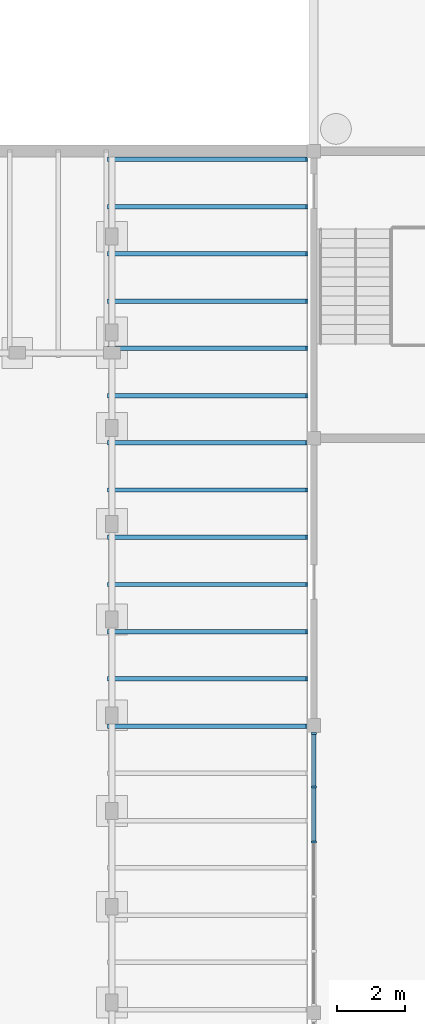
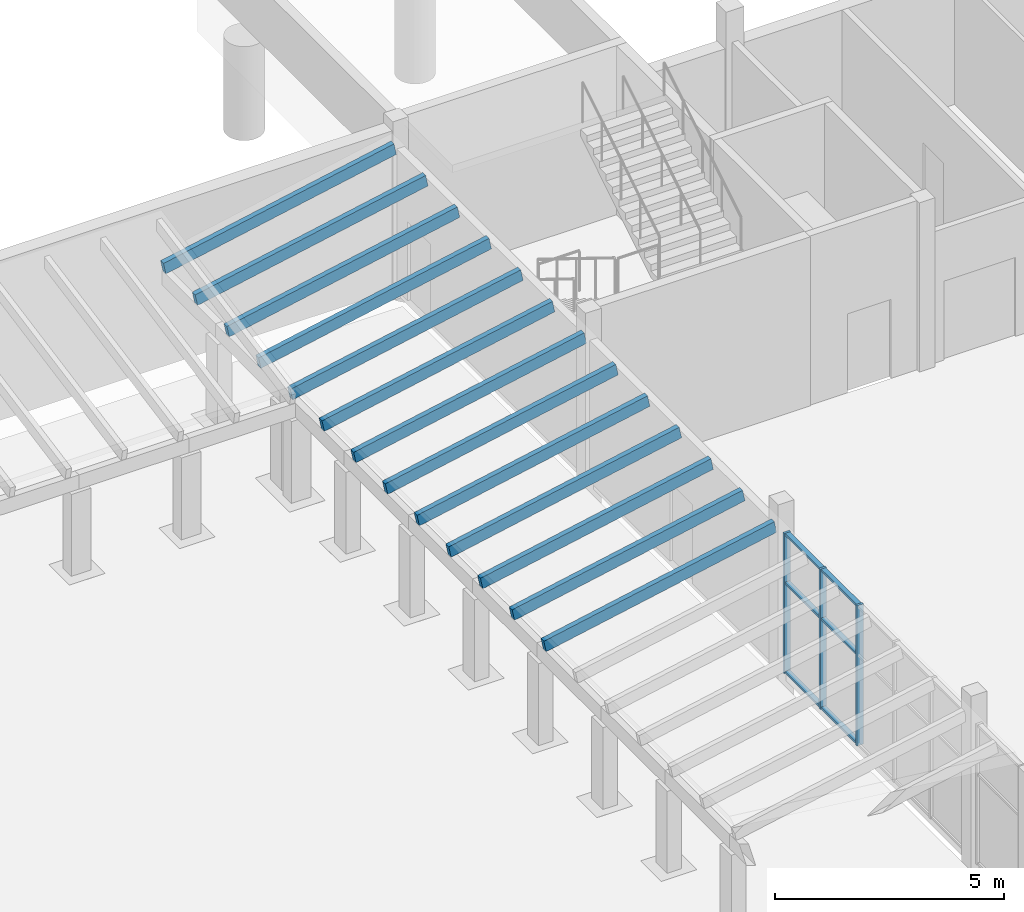
# One storey, part 18 of 60: 22 members, 1 element without a shape of its own.
"""IFC4 building model written with IfcOpenShell, lengths in metres."""

from ifc_helpers import new_model, si_unit, direction, frame, origin, origin_2d, place, context, subcontext, project, spatial, rectangle, extrude, material, material_profile, profile_set, type_object, element, aggregate, save


model = new_model("IFC4")

# Units and contexts
model_context = context("Model", 3, precision=1e-05, world=origin(), true_north=direction((0.0, 1.0)))
body_context = subcontext(model_context, "Body", "Model", "MODEL_VIEW")
ifc_project = project(units=[si_unit("LENGTHUNIT", "METRE"), si_unit("AREAUNIT", "SQUARE_METRE"), si_unit("VOLUMEUNIT", "CUBIC_METRE"), si_unit("PLANEANGLEUNIT", "RADIAN"), si_unit("MASSUNIT", "GRAM", prefix="KILO")], contexts=[model_context])

# Site, building, storey
site_placement = place(None, origin())
site = spatial("IfcSite", under=ifc_project, at=site_placement, CompositionType="ELEMENT")
building_placement = place(site_placement, origin())
building = spatial("IfcBuilding", under=site, at=building_placement, Name="Fescue Hill Polytechnic", CompositionType="ELEMENT")
storey_placement = place(building_placement, frame((0.0, 0.0, 4.5)))
storey = spatial("IfcBuildingStorey", under=building, at=storey_placement, Name="L01", CompositionType="ELEMENT", Elevation=4.5)

# Curtain wall, members
ifc_material_1 = material(Name="Glass", Category="glass")
curtain_wall_type = type_object("IfcCurtainWallType", Name="Curtain wall structural glazing", PredefinedType="NOTDEFINED", material=ifc_material_1)
curtain_wall_placement = place(storey_placement, origin())
curtain_wall = element("IfcCurtainWall", 1, at=curtain_wall_placement, inside=storey, type_object=curtain_wall_type, Name="CW-L01-V6-2", PredefinedType="NOTDEFINED")
ifc_material_2 = material(Name="Powder-coated aluminium", Category="aluminium")
ifc_material_profile_1 = material_profile(ifc_material_2, rectangle(XDim=0.159912109375, YDim=0.06005859375, at=origin_2d()), Name="Mullion aluminium 60x160")
ifc_profile_set_1 = profile_set([ifc_material_profile_1], Name="Powder-coated aluminium")
member_type_1 = type_object("IfcMemberType", Name="Mullion aluminium 60x160", PredefinedType="MULLION", material=ifc_profile_set_1)
member_1_placement = place(storey_placement, frame((92.39990234375, 92.169921875, 0.0), z_axis=(0.0, 0.0, 1.0), x_axis=(1.0, 0.0, 0.0)))
member_1 = element("IfcMember", 2, at=member_1_placement, type_object=member_type_1, Name="CW48 mullion 1", PredefinedType="MULLION", context=body_context, shape_type="SweptSolid", body=[
    extrude(rectangle(XDim=0.159912109375, YDim=0.06005859375, at=origin_2d()), origin(), (0.0, 0.0, 1.0), 3.72998046875),
])
member_2_placement = place(storey_placement, frame((92.39990234375, 90.60009765625, 0.0), z_axis=(0.0, 0.0, 1.0), x_axis=(1.0, 0.0, 0.0)))
member_2 = element("IfcMember", 3, at=member_2_placement, type_object=member_type_1, Name="CW48 mullion 2", PredefinedType="MULLION", context=body_context, shape_type="SweptSolid", body=[
    extrude(rectangle(XDim=0.159912109375, YDim=0.06005859375, at=origin_2d()), origin(), (0.0, 0.0, 1.0), 3.72998046875),
])
member_3_placement = place(storey_placement, frame((92.39990234375, 89.0, 0.0), z_axis=(0.0, 0.0, 1.0), x_axis=(1.0, 0.0, 0.0)))
member_3 = element("IfcMember", 4, at=member_3_placement, type_object=member_type_1, Name="CW48 mullion 3", PredefinedType="MULLION", context=body_context, shape_type="SweptSolid", body=[
    extrude(rectangle(XDim=0.159912109375, YDim=0.06005859375, at=origin_2d()), origin(), (0.0, 0.0, 1.0), 3.72998046875),
])
ifc_material_profile_2 = material_profile(ifc_material_2, rectangle(XDim=0.1201171875, YDim=0.06005859375, at=origin_2d()), Name="Transom aluminium 60x120")
ifc_profile_set_2 = profile_set([ifc_material_profile_2], Name="Powder-coated aluminium")
member_type_2 = type_object("IfcMemberType", Name="Transom aluminium 60x120", PredefinedType="USERDEFINED", material=ifc_profile_set_2)
member_4_placement = place(storey_placement, frame((92.39990234375, 92.139892578125, 0.030029296875), z_axis=(0.0, -1.0, 0.0), x_axis=(1.0, 0.0, 0.0)))
member_4 = element("IfcMember", 5, at=member_4_placement, type_object=member_type_2, Name="CW48 transom 1.1", ObjectType="TRANSOM", PredefinedType="USERDEFINED", context=body_context, shape_type="SweptSolid", body=[
    extrude(rectangle(XDim=0.1201171875, YDim=0.06005859375, at=origin_2d()), origin(), (0.0, 0.0, 1.0), 1.510009765625),
])
member_5_placement = place(storey_placement, frame((92.39990234375, 92.139892578125, 2.39990234375), z_axis=(0.0, -1.0, 0.0), x_axis=(1.0, 0.0, 0.0)))
member_5 = element("IfcMember", 6, at=member_5_placement, type_object=member_type_2, Name="CW48 transom 1.2", ObjectType="TRANSOM", PredefinedType="USERDEFINED", context=body_context, shape_type="SweptSolid", body=[
    extrude(rectangle(XDim=0.1201171875, YDim=0.06005859375, at=origin_2d()), origin(), (0.0, 0.0, 1.0), 1.510009765625),
])
member_6_placement = place(storey_placement, frame((92.39990234375, 92.139892578125, 3.699951171875), z_axis=(0.0, -1.0, 0.0), x_axis=(1.0, 0.0, 0.0)))
member_6 = element("IfcMember", 7, at=member_6_placement, type_object=member_type_2, Name="CW48 transom 1.3", ObjectType="TRANSOM", PredefinedType="USERDEFINED", context=body_context, shape_type="SweptSolid", body=[
    extrude(rectangle(XDim=0.1201171875, YDim=0.06005859375, at=origin_2d()), origin(), (0.0, 0.0, 1.0), 1.510009765625),
])
member_7_placement = place(storey_placement, frame((92.39990234375, 90.570068359375, 0.030029296875), z_axis=(0.0, -1.0, 0.0), x_axis=(1.0, 0.0, 0.0)))
member_7 = element("IfcMember", 8, at=member_7_placement, type_object=member_type_2, Name="CW48 transom 2.1", ObjectType="TRANSOM", PredefinedType="USERDEFINED", context=body_context, shape_type="SweptSolid", body=[
    extrude(rectangle(XDim=0.1201171875, YDim=0.06005859375, at=origin_2d()), origin(), (0.0, 0.0, 1.0), 1.5400390625),
])
member_8_placement = place(storey_placement, frame((92.39990234375, 90.570068359375, 2.39990234375), z_axis=(0.0, -1.0, 0.0), x_axis=(1.0, 0.0, 0.0)))
member_8 = element("IfcMember", 9, at=member_8_placement, type_object=member_type_2, Name="CW48 transom 2.2", ObjectType="TRANSOM", PredefinedType="USERDEFINED", context=body_context, shape_type="SweptSolid", body=[
    extrude(rectangle(XDim=0.1201171875, YDim=0.06005859375, at=origin_2d()), origin(), (0.0, 0.0, 1.0), 1.5400390625),
])
member_9_placement = place(storey_placement, frame((92.39990234375, 90.570068359375, 3.699951171875), z_axis=(0.0, -1.0, 0.0), x_axis=(1.0, 0.0, 0.0)))
member_9 = element("IfcMember", 10, at=member_9_placement, type_object=member_type_2, Name="CW48 transom 2.3", ObjectType="TRANSOM", PredefinedType="USERDEFINED", context=body_context, shape_type="SweptSolid", body=[
    extrude(rectangle(XDim=0.1201171875, YDim=0.06005859375, at=origin_2d()), origin(), (0.0, 0.0, 1.0), 1.5400390625),
])
aggregate(curtain_wall, [member_1, member_2, member_3, member_4, member_5, member_6, member_7, member_8, member_9])

# Members
ifc_material_3 = material(Name="Glulam 24f-EX", Category="wood")
ifc_material_profile_3 = material_profile(ifc_material_3, rectangle(XDim=0.1298828125, YDim=0.303955078125, at=origin_2d()), Name="Veranda rafter 130x304")
ifc_profile_set_3 = profile_set([ifc_material_profile_3], Name="Glulam 24f-EX")
member_type_3 = type_object("IfcMemberType", Name="Veranda rafter 130x304", PredefinedType="RAFTER", material=ifc_profile_set_3)
for number, where, z_axis, x_axis, name in (
    (11, (92.199951171875, 92.382568359375, 3.841064453125), (-0.980908023903, 0.0, -0.19447223103), (0.0, -1.0, 0.0), "Winter garden veranda rafter"),
    (12, (92.199951171875, 93.76416015625, 3.841064453125), (-0.980908023903, 0.0, -0.19447223103), (0.0, -1.0, 0.0), "Winter garden veranda rafter"),
    (13, (92.199951171875, 95.1455078125, 3.841064453125), (-0.980908023903, 0.0, -0.19447223103), (0.0, -1.0, 0.0), "Winter garden veranda rafter"),
    (14, (92.199951171875, 96.52685546875, 3.841064453125), (-0.980908023903, 0.0, -0.19447223103), (0.0, -1.0, 0.0), "Winter garden veranda rafter"),
    (15, (92.199951171875, 97.908447265625, 3.841064453125), (-0.980908023903, 0.0, -0.19447223103), (0.0, -1.0, 0.0), "Winter garden veranda rafter"),
    (16, (92.199951171875, 99.289794921875, 3.841064453125), (-0.980908023903, 0.0, -0.19447223103), (0.0, -1.0, 0.0), "Winter garden veranda rafter"),
    (17, (92.199951171875, 100.67138671875, 3.841064453125), (-0.980908023903, 0.0, -0.19447223103), (0.0, -1.0, 0.0), "Winter garden veranda rafter"),
    (18, (92.199951171875, 102.052734375, 3.841064453125), (-0.980908023903, 0.0, -0.19447223103), (0.0, -1.0, 0.0), "Winter garden veranda rafter"),
    (19, (92.199951171875, 103.434326171875, 3.841064453125), (-0.980908023903, 0.0, -0.19447223103), (0.0, -1.0, 0.0), "Winter garden veranda rafter"),
    (20, (92.199951171875, 104.815673828125, 3.841064453125), (-0.980908023903, 0.0, -0.19447223103), (0.0, -1.0, 0.0), "Winter garden veranda rafter"),
    (21, (92.199951171875, 106.197021484375, 3.841064453125), (-0.980908023903, 0.0, -0.19447223103), (0.0, -1.0, 0.0), "Winter garden veranda rafter"),
    (22, (92.199951171875, 107.57861328125, 3.841064453125), (-0.980908023903, 0.0, -0.19447223103), (0.0, -1.0, 0.0), "Winter garden veranda rafter"),
    (23, (92.199951171875, 108.9599609375, 3.841064453125), (-0.980908023903, 0.0, -0.19447223103), (0.0, -1.0, 0.0), "Winter garden veranda rafter"),
):
    element("IfcMember", number, at=place(storey_placement, frame(where, z_axis=z_axis, x_axis=x_axis)), inside=storey, type_object=member_type_3, Name=name, PredefinedType="RAFTER", context=body_context, shape_type="SweptSolid", body=[
        extrude(rectangle(XDim=0.1298828125, YDim=0.303955078125, at=origin_2d()), origin(), (0.0, 0.0, 1.0), 5.912841796875),
    ])

save(model, "model.ifc")
